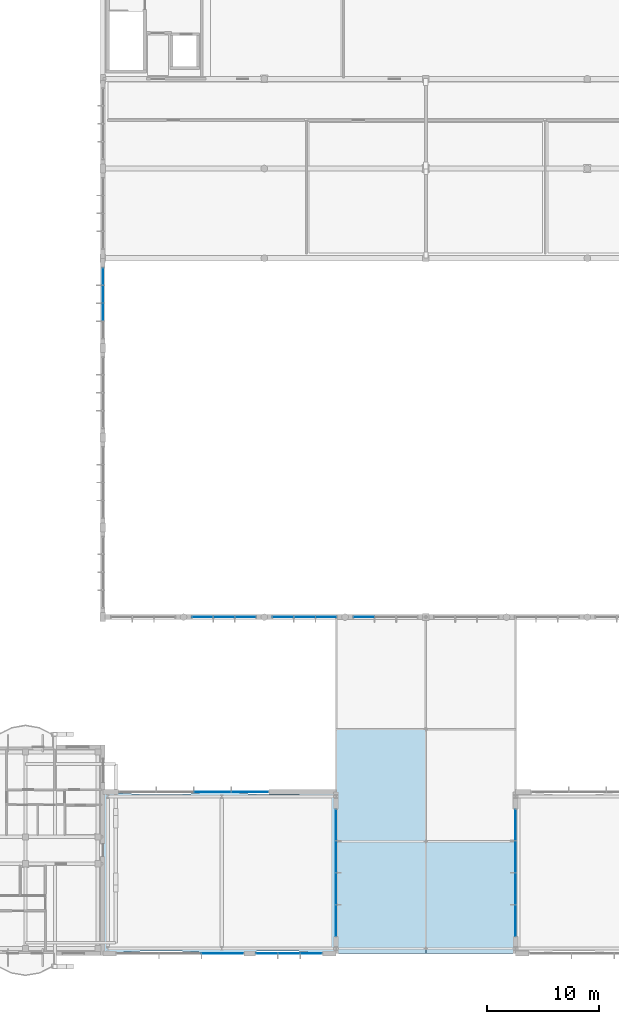
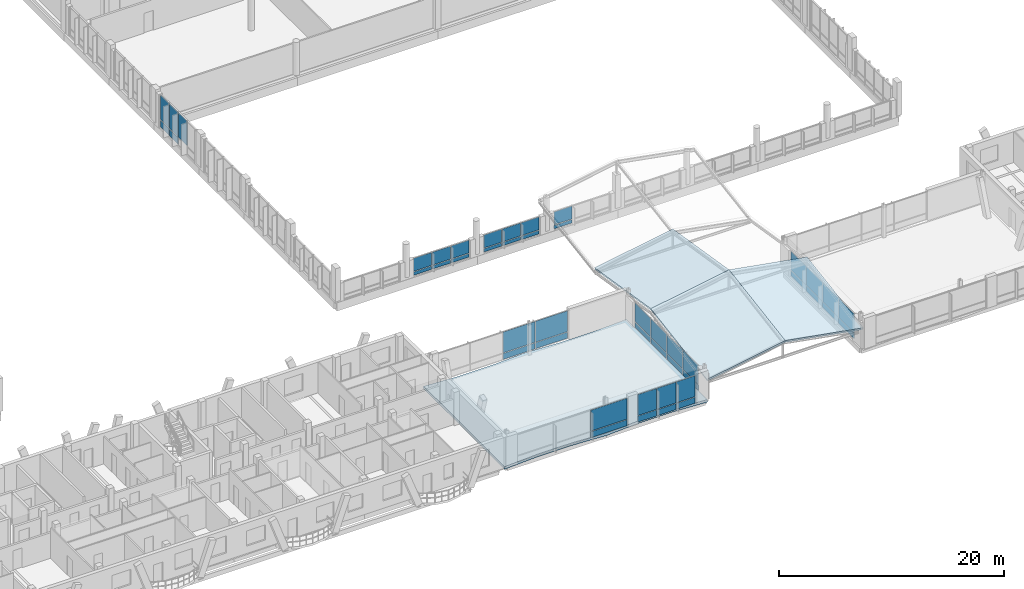
# One storey, part 125 of 189: 47 plates, 4 slabs, 9 elements without a shape of their own.
"""IFC4 building model written with IfcOpenShell, lengths in metres."""

from ifc_helpers import new_model, si_unit, direction, frame, origin, origin_2d, place, context, subcontext, project, spatial, polyline, rectangle, outline, extrude, material, layer, layer_set, type_object, element, aggregate, save


model = new_model("IFC4")

# Units and contexts
model_context = context("Model", 3, precision=1e-05, world=origin(), true_north=direction((0.0, 1.0)))
body_context = subcontext(model_context, "Body", "Model", "MODEL_VIEW")
ifc_project = project(units=[si_unit("LENGTHUNIT", "METRE"), si_unit("AREAUNIT", "SQUARE_METRE"), si_unit("VOLUMEUNIT", "CUBIC_METRE"), si_unit("PLANEANGLEUNIT", "RADIAN"), si_unit("MASSUNIT", "GRAM", prefix="KILO")], contexts=[model_context])

# Site, building, storey
site_placement = place(None, origin())
site = spatial("IfcSite", under=ifc_project, at=site_placement, CompositionType="ELEMENT")
building_placement = place(site_placement, origin())
building = spatial("IfcBuilding", under=site, at=building_placement, Name="Zavelmont Quarter", CompositionType="ELEMENT")
storey_placement = place(building_placement, frame((0.0, 0.0, 4.39990234375)))
storey = spatial("IfcBuildingStorey", under=building, at=storey_placement, Name="L01", CompositionType="ELEMENT", Elevation=4.39990234375)

# Curtain wall, plates
ifc_material_1 = material(Name="Thermally broken aluminium and double low-E safety glazing", Category="aluminium")
curtain_wall_type_1 = type_object("IfcCurtainWallType", Name="CW-640X362", PredefinedType="NOTDEFINED", material=ifc_material_1)
curtain_wall_1_placement = place(storey_placement, origin())
curtain_wall_1 = element("IfcCurtainWall", 1, at=curtain_wall_1_placement, inside=storey, type_object=curtain_wall_type_1, Name="L01 unitised curtain wall CW-640X362", PredefinedType="NOTDEFINED")
ifc_material_2 = material(Name="Insulated anodised-aluminium spandrel panel", Category="aluminium")
ifc_layer_1 = layer(ifc_material_2, 0.0400390625)
ifc_layer_set_1 = layer_set([ifc_layer_1], Name="Insulated anodised-aluminium spandrel panel")
plate_type_1 = type_object("IfcPlateType", Name="CWP-SPD-1495X745", PredefinedType="CURTAIN_PANEL", material=ifc_layer_set_1)
plate_1_placement = place(storey_placement, frame((55.199951171875, 60.382568359375, -0.2099609375), z_axis=(0.0, 0.0, 1.0), x_axis=(0.0, 1.0, 0.0)))
plate_1 = element("IfcPlate", 2, at=plate_1_placement, type_object=plate_type_1, Name="CW-640X362 panel 4.1", PredefinedType="CURTAIN_PANEL", context=body_context, shape_type="SweptSolid", body=[
    extrude(rectangle(XDim=1.4951171875, YDim=0.0400390625, at=origin_2d()), origin(), (0.0, 0.0, 1.0), 0.7451171875),
])
ifc_layer_2 = layer(ifc_material_2, 0.0400390625)
ifc_layer_set_2 = layer_set([ifc_layer_2], Name="Insulated anodised-aluminium spandrel panel")
plate_type_2 = type_object("IfcPlateType", Name="CWP-SPD-1530X745", PredefinedType="CURTAIN_PANEL", material=ifc_layer_set_2)
plate_2_placement = place(storey_placement, frame((55.199951171875, 58.800048828125, -0.2099609375), z_axis=(0.0, 0.0, 1.0), x_axis=(0.0, 1.0, 0.0)))
plate_2 = element("IfcPlate", 3, at=plate_2_placement, type_object=plate_type_2, Name="CW-640X362 panel 3.1", PredefinedType="CURTAIN_PANEL", context=body_context, shape_type="SweptSolid", body=[
    extrude(rectangle(XDim=1.530029296875, YDim=0.0400390625, at=origin_2d()), origin(), (0.0, 0.0, 1.0), 0.7451171875),
])

curtain_wall_type_2 = type_object("IfcCurtainWallType", Name="CW-580X198", PredefinedType="NOTDEFINED", material=ifc_material_1)
curtain_wall_2_placement = place(storey_placement, origin())
curtain_wall_2 = element("IfcCurtainWall", 4, at=curtain_wall_2_placement, inside=storey, type_object=curtain_wall_type_2, Name="L01 unitised curtain wall CW-580X198", PredefinedType="NOTDEFINED")
ifc_layer_3 = layer(ifc_material_2, 0.0400390625)
ifc_layer_set_3 = layer_set([ifc_layer_3], Name="Insulated anodised-aluminium spandrel panel")
plate_type_3 = type_object("IfcPlateType", Name="CWP-SPD-1830X370", PredefinedType="CURTAIN_PANEL", material=ifc_layer_set_3)
plate_3_placement = place(storey_placement, frame((64.084228515625, 30.0, -0.2099609375), z_axis=(0.0, 0.0, 1.0), x_axis=(1.0, 0.0, 0.0)))
plate_3 = element("IfcPlate", 5, at=plate_3_placement, type_object=plate_type_3, Name="CW-580X198 panel 1.1", PredefinedType="CURTAIN_PANEL", context=body_context, shape_type="SweptSolid", body=[
    extrude(rectangle(XDim=1.828369140625, YDim=0.0400390625, at=origin_2d()), origin(), (0.0, 0.0, 1.0), 0.368896484375),
])
plate_4_placement = place(storey_placement, frame((67.915771484375, 30.0, -0.2099609375), z_axis=(0.0, 0.0, 1.0), x_axis=(1.0, 0.0, 0.0)))
plate_4 = element("IfcPlate", 6, at=plate_4_placement, type_object=plate_type_3, Name="CW-580X198 panel 3.1", PredefinedType="CURTAIN_PANEL", context=body_context, shape_type="SweptSolid", body=[
    extrude(rectangle(XDim=1.828369140625, YDim=0.0400390625, at=origin_2d()), origin(), (0.0, 0.0, 1.0), 0.368896484375),
])

curtain_wall_3_placement = place(storey_placement, origin())
curtain_wall_3 = element("IfcCurtainWall", 7, at=curtain_wall_3_placement, inside=storey, type_object=curtain_wall_type_2, Name="L01 unitised curtain wall CW-580X198", PredefinedType="NOTDEFINED")
plate_5_placement = place(storey_placement, frame((71.2841796875, 30.0, -0.2099609375), z_axis=(0.0, 0.0, 1.0), x_axis=(1.0, 0.0, 0.0)))
plate_5 = element("IfcPlate", 8, at=plate_5_placement, type_object=plate_type_3, Name="CW-580X198 panel 1.1", PredefinedType="CURTAIN_PANEL", context=body_context, shape_type="SweptSolid", body=[
    extrude(rectangle(XDim=1.828369140625, YDim=0.0400390625, at=origin_2d()), origin(), (0.0, 0.0, 1.0), 0.368896484375),
])
plate_6_placement = place(storey_placement, frame((75.11572265625, 30.0, -0.2099609375), z_axis=(0.0, 0.0, 1.0), x_axis=(1.0, 0.0, 0.0)))
plate_6 = element("IfcPlate", 9, at=plate_6_placement, type_object=plate_type_3, Name="CW-580X198 panel 3.1", PredefinedType="CURTAIN_PANEL", context=body_context, shape_type="SweptSolid", body=[
    extrude(rectangle(XDim=1.828369140625, YDim=0.0400390625, at=origin_2d()), origin(), (0.0, 0.0, 1.0), 0.368896484375),
])

# Curtain wall, plate
curtain_wall_4_placement = place(storey_placement, origin())
curtain_wall_4 = element("IfcCurtainWall", 10, at=curtain_wall_4_placement, inside=storey, type_object=curtain_wall_type_2, Name="L01 unitised curtain wall CW-580X198", PredefinedType="NOTDEFINED")
plate_7_placement = place(storey_placement, frame((78.484130859375, 30.0, -0.2099609375), z_axis=(0.0, 0.0, 1.0), x_axis=(1.0, 0.0, 0.0)))
plate_7 = element("IfcPlate", 11, at=plate_7_placement, type_object=plate_type_3, Name="CW-580X198 panel 1.1", PredefinedType="CURTAIN_PANEL", context=body_context, shape_type="SweptSolid", body=[
    extrude(rectangle(XDim=1.828369140625, YDim=0.0400390625, at=origin_2d()), origin(), (0.0, 0.0, 1.0), 0.368896484375),
])

# Plate
ifc_layer_4 = layer(ifc_material_2, 0.0400390625)
ifc_layer_set_4 = layer_set([ifc_layer_4], Name="Insulated anodised-aluminium spandrel panel")
plate_type_4 = type_object("IfcPlateType", Name="CWP-SPD-1865X370", PredefinedType="CURTAIN_PANEL", material=ifc_layer_set_4)
plate_8_placement = place(storey_placement, frame((66.0, 30.0, -0.2099609375), z_axis=(0.0, 0.0, 1.0), x_axis=(1.0, 0.0, 0.0)))
plate_8 = element("IfcPlate", 12, at=plate_8_placement, type_object=plate_type_4, Name="CW-580X198 panel 2.1", PredefinedType="CURTAIN_PANEL", context=body_context, shape_type="SweptSolid", body=[
    extrude(rectangle(XDim=1.86328125, YDim=0.0400390625, at=origin_2d()), origin(), (0.0, 0.0, 1.0), 0.368896484375),
])

plate_9_placement = place(storey_placement, frame((73.199951171875, 30.0, -0.2099609375), z_axis=(0.0, 0.0, 1.0), x_axis=(1.0, 0.0, 0.0)))
plate_9 = element("IfcPlate", 13, at=plate_9_placement, type_object=plate_type_4, Name="CW-580X198 panel 2.1", PredefinedType="CURTAIN_PANEL", context=body_context, shape_type="SweptSolid", body=[
    extrude(rectangle(XDim=1.86328125, YDim=0.0400390625, at=origin_2d()), origin(), (0.0, 0.0, 1.0), 0.368896484375),
])

# Curtain wall, plates
curtain_wall_type_3 = type_object("IfcCurtainWallType", Name="CW-600X310", PredefinedType="NOTDEFINED", material=ifc_material_1)
curtain_wall_5_placement = place(storey_placement, origin())
curtain_wall_5 = element("IfcCurtainWall", 14, at=curtain_wall_5_placement, inside=storey, type_object=curtain_wall_type_3, Name="L01 unitised curtain wall CW-600X310", PredefinedType="NOTDEFINED")
ifc_layer_5 = layer(ifc_material_2, 0.0400390625)
ifc_layer_set_5 = layer_set([ifc_layer_5], Name="Insulated anodised-aluminium spandrel panel")
plate_type_5 = type_object("IfcPlateType", Name="CWP-SPD-1910X655", PredefinedType="CURTAIN_PANEL", material=ifc_layer_set_5)
plate_10_placement = place(storey_placement, frame((69.81494140625, 0.0, 0.06005859375), z_axis=(0.0, 0.0, 1.0), x_axis=(1.0, 0.0, 0.0)))
plate_10 = element("IfcPlate", 15, at=plate_10_placement, type_object=plate_type_5, Name="CW-600X310 panel 1.1", PredefinedType="CURTAIN_PANEL", context=body_context, shape_type="SweptSolid", body=[
    extrude(rectangle(XDim=1.909912109375, YDim=0.0400390625, at=origin_2d()), origin(), (0.0, 0.0, 1.0), 0.654052734375),
])
plate_11_placement = place(storey_placement, frame((73.784912109375, 0.0, 0.06005859375), z_axis=(0.0, 0.0, 1.0), x_axis=(1.0, 0.0, 0.0)))
plate_11 = element("IfcPlate", 16, at=plate_11_placement, type_object=plate_type_5, Name="CW-600X310 panel 3.1", PredefinedType="CURTAIN_PANEL", context=body_context, shape_type="SweptSolid", body=[
    extrude(rectangle(XDim=1.909912109375, YDim=0.0400390625, at=origin_2d()), origin(), (0.0, 0.0, 1.0), 0.654052734375),
])
ifc_layer_6 = layer(ifc_material_2, 0.0400390625)
ifc_layer_set_6 = layer_set([ifc_layer_6], Name="Insulated anodised-aluminium spandrel panel")
plate_type_6 = type_object("IfcPlateType", Name="CWP-SPD-1940X655", PredefinedType="CURTAIN_PANEL", material=ifc_layer_set_6)
plate_12_placement = place(storey_placement, frame((71.800048828125, 0.0, 0.06005859375), z_axis=(0.0, 0.0, 1.0), x_axis=(1.0, 0.0, 0.0)))
plate_12 = element("IfcPlate", 17, at=plate_12_placement, type_object=plate_type_6, Name="CW-600X310 panel 2.1", PredefinedType="CURTAIN_PANEL", context=body_context, shape_type="SweptSolid", body=[
    extrude(rectangle(XDim=1.93994140625, YDim=0.0400390625, at=origin_2d()), origin(), (0.0, 0.0, 1.0), 0.654052734375),
])

curtain_wall_type_4 = type_object("IfcCurtainWallType", Name="CW-1140X280", PredefinedType="NOTDEFINED", material=ifc_material_1)
curtain_wall_6_placement = place(storey_placement, origin())
curtain_wall_6 = element("IfcCurtainWall", 18, at=curtain_wall_6_placement, inside=storey, type_object=curtain_wall_type_4, Name="L01 unitised curtain wall CW-1140X280", PredefinedType="NOTDEFINED")
ifc_layer_7 = layer(ifc_material_2, 0.0400390625)
ifc_layer_set_7 = layer_set([ifc_layer_7], Name="Insulated anodised-aluminium spandrel panel")
plate_type_7 = type_object("IfcPlateType", Name="CWP-SPD-2760X580", PredefinedType="CURTAIN_PANEL", material=ifc_layer_set_7)
plate_13_placement = place(storey_placement, frame((76.0, 2.93994140625, 0.06005859375), z_axis=(0.0, 0.0, 1.0), x_axis=(0.0, 1.0, 0.0)))
plate_13 = element("IfcPlate", 19, at=plate_13_placement, type_object=plate_type_7, Name="CW-1140X280 panel 1.1", PredefinedType="CURTAIN_PANEL", context=body_context, shape_type="SweptSolid", body=[
    extrude(rectangle(XDim=2.760009765625, YDim=0.0400390625, at=origin_2d()), origin(), (0.0, 0.0, 1.0), 0.58203125),
])
plate_14_placement = place(storey_placement, frame((76.0, 11.4599609375, 0.06005859375), z_axis=(0.0, 0.0, 1.0), x_axis=(0.0, 1.0, 0.0)))
plate_14 = element("IfcPlate", 20, at=plate_14_placement, type_object=plate_type_7, Name="CW-1140X280 panel 4.1", PredefinedType="CURTAIN_PANEL", context=body_context, shape_type="SweptSolid", body=[
    extrude(rectangle(XDim=2.760009765625, YDim=0.0400390625, at=origin_2d()), origin(), (0.0, 0.0, 1.0), 0.58203125),
])

curtain_wall_7_placement = place(storey_placement, origin())
curtain_wall_7 = element("IfcCurtainWall", 21, at=curtain_wall_7_placement, inside=storey, type_object=curtain_wall_type_4, Name="L01 unitised curtain wall CW-1140X280", PredefinedType="NOTDEFINED")
plate_15_placement = place(storey_placement, frame((92.0, 2.93994140625, 0.06005859375), z_axis=(0.0, 0.0, 1.0), x_axis=(0.0, 1.0, 0.0)))
plate_15 = element("IfcPlate", 22, at=plate_15_placement, type_object=plate_type_7, Name="CW-1140X280 panel 1.1", PredefinedType="CURTAIN_PANEL", context=body_context, shape_type="SweptSolid", body=[
    extrude(rectangle(XDim=2.760009765625, YDim=0.0400390625, at=origin_2d()), origin(), (0.0, 0.0, 1.0), 0.58203125),
])
plate_16_placement = place(storey_placement, frame((92.0, 11.4599609375, 0.06005859375), z_axis=(0.0, 0.0, 1.0), x_axis=(0.0, 1.0, 0.0)))
plate_16 = element("IfcPlate", 23, at=plate_16_placement, type_object=plate_type_7, Name="CW-1140X280 panel 4.1", PredefinedType="CURTAIN_PANEL", context=body_context, shape_type="SweptSolid", body=[
    extrude(rectangle(XDim=2.760009765625, YDim=0.0400390625, at=origin_2d()), origin(), (0.0, 0.0, 1.0), 0.58203125),
])

# Plate
ifc_layer_8 = layer(ifc_material_2, 0.0400390625)
ifc_layer_set_8 = layer_set([ifc_layer_8], Name="Insulated anodised-aluminium spandrel panel")
plate_type_8 = type_object("IfcPlateType", Name="CWP-SPD-2790X580", PredefinedType="CURTAIN_PANEL", material=ifc_layer_set_8)
plate_17_placement = place(storey_placement, frame((76.0, 5.77490234375, 0.06005859375), z_axis=(0.0, 0.0, 1.0), x_axis=(0.0, 1.0, 0.0)))
plate_17 = element("IfcPlate", 24, at=plate_17_placement, type_object=plate_type_8, Name="CW-1140X280 panel 2.1", PredefinedType="CURTAIN_PANEL", context=body_context, shape_type="SweptSolid", body=[
    extrude(rectangle(XDim=2.7900390625, YDim=0.0400390625, at=origin_2d()), origin(), (0.0, 0.0, 1.0), 0.58203125),
])

plate_18_placement = place(storey_placement, frame((76.0, 8.625, 0.06005859375), z_axis=(0.0, 0.0, 1.0), x_axis=(0.0, 1.0, 0.0)))
plate_18 = element("IfcPlate", 25, at=plate_18_placement, type_object=plate_type_8, Name="CW-1140X280 panel 3.1", PredefinedType="CURTAIN_PANEL", context=body_context, shape_type="SweptSolid", body=[
    extrude(rectangle(XDim=2.7900390625, YDim=0.0400390625, at=origin_2d()), origin(), (0.0, 0.0, 1.0), 0.58203125),
])

plate_19_placement = place(storey_placement, frame((92.0, 5.77490234375, 0.06005859375), z_axis=(0.0, 0.0, 1.0), x_axis=(0.0, 1.0, 0.0)))
plate_19 = element("IfcPlate", 26, at=plate_19_placement, type_object=plate_type_8, Name="CW-1140X280 panel 2.1", PredefinedType="CURTAIN_PANEL", context=body_context, shape_type="SweptSolid", body=[
    extrude(rectangle(XDim=2.7900390625, YDim=0.0400390625, at=origin_2d()), origin(), (0.0, 0.0, 1.0), 0.58203125),
])

plate_20_placement = place(storey_placement, frame((92.0, 8.625, 0.06005859375), z_axis=(0.0, 0.0, 1.0), x_axis=(0.0, 1.0, 0.0)))
plate_20 = element("IfcPlate", 27, at=plate_20_placement, type_object=plate_type_8, Name="CW-1140X280 panel 3.1", PredefinedType="CURTAIN_PANEL", context=body_context, shape_type="SweptSolid", body=[
    extrude(rectangle(XDim=2.7900390625, YDim=0.0400390625, at=origin_2d()), origin(), (0.0, 0.0, 1.0), 0.58203125),
])

# Curtain wall, plates
curtain_wall_type_5 = type_object("IfcCurtainWallType", Name="CW-1340X310", PredefinedType="NOTDEFINED", material=ifc_material_1)
curtain_wall_8_placement = place(storey_placement, origin())
curtain_wall_8 = element("IfcCurtainWall", 28, at=curtain_wall_8_placement, inside=storey, type_object=curtain_wall_type_5, Name="L01 unitised curtain wall CW-1340X310", PredefinedType="NOTDEFINED")
ifc_layer_9 = layer(ifc_material_2, 0.0400390625)
ifc_layer_set_9 = layer_set([ifc_layer_9], Name="Insulated anodised-aluminium spandrel panel")
plate_type_9 = type_object("IfcPlateType", Name="CWP-SPD-3260X655", PredefinedType="CURTAIN_PANEL", material=ifc_layer_set_9)
plate_21_placement = place(storey_placement, frame((68.31005859375, 14.39990234375, 0.06005859375), z_axis=(0.0, 0.0, 1.0), x_axis=(1.0, 0.0, 0.0)))
plate_21 = element("IfcPlate", 29, at=plate_21_placement, type_object=plate_type_9, Name="CW-1340X310 panel 4.1", PredefinedType="CURTAIN_PANEL", context=body_context, shape_type="SweptSolid", body=[
    extrude(rectangle(XDim=3.260009765625, YDim=0.0400390625, at=origin_2d()), origin(), (0.0, 0.0, 1.0), 0.654052734375),
])
ifc_layer_10 = layer(ifc_material_2, 0.0400390625)
ifc_layer_set_10 = layer_set([ifc_layer_10], Name="Insulated anodised-aluminium spandrel panel")
plate_type_10 = type_object("IfcPlateType", Name="CWP-SPD-3290X655", PredefinedType="CURTAIN_PANEL", material=ifc_layer_set_10)
plate_22_placement = place(storey_placement, frame((64.97509765625, 14.39990234375, 0.06005859375), z_axis=(0.0, 0.0, 1.0), x_axis=(1.0, 0.0, 0.0)))
plate_22 = element("IfcPlate", 30, at=plate_22_placement, type_object=plate_type_10, Name="CW-1340X310 panel 3.1", PredefinedType="CURTAIN_PANEL", context=body_context, shape_type="SweptSolid", body=[
    extrude(rectangle(XDim=3.2900390625, YDim=0.0400390625, at=origin_2d()), origin(), (0.0, 0.0, 1.0), 0.654052734375),
])

# Curtain wall, plate
curtain_wall_type_6 = type_object("IfcCurtainWallType", Name="CW-1140X310", PredefinedType="NOTDEFINED", material=ifc_material_1)
curtain_wall_9_placement = place(storey_placement, origin())
curtain_wall_9 = element("IfcCurtainWall", 31, at=curtain_wall_9_placement, inside=storey, type_object=curtain_wall_type_6, Name="L01 unitised curtain wall CW-1140X310", PredefinedType="NOTDEFINED")
ifc_layer_11 = layer(ifc_material_2, 0.0400390625)
ifc_layer_set_11 = layer_set([ifc_layer_11], Name="Insulated anodised-aluminium spandrel panel")
plate_type_11 = type_object("IfcPlateType", Name="CWP-SPD-3710X655", PredefinedType="CURTAIN_PANEL", material=ifc_layer_set_11)
plate_23_placement = place(storey_placement, frame((65.885009765625, 0.0, 0.06005859375), z_axis=(0.0, 0.0, 1.0), x_axis=(1.0, 0.0, 0.0)))
plate_23 = element("IfcPlate", 32, at=plate_23_placement, type_object=plate_type_11, Name="CW-1140X310 panel 3.1", PredefinedType="CURTAIN_PANEL", context=body_context, shape_type="SweptSolid", body=[
    extrude(rectangle(XDim=3.7099609375, YDim=0.0400390625, at=origin_2d()), origin(), (0.0, 0.0, 1.0), 0.654052734375),
])

# Plate
ifc_material_3 = material(Name="Double low-E insulated vision glass", Category="glass")
ifc_layer_12 = layer(ifc_material_3, 0.028076171875)
ifc_layer_set_12 = layer_set([ifc_layer_12], Name="Double low-E insulated vision glass")
plate_type_12 = type_object("IfcPlateType", Name="CWP-VIS-1495X2665", PredefinedType="CURTAIN_PANEL", material=ifc_layer_set_12)
plate_24_placement = place(storey_placement, frame((55.199951171875, 60.382568359375, 0.60498046875), z_axis=(0.0, 0.0, 1.0), x_axis=(0.0, 1.0, 0.0)))
plate_24 = element("IfcPlate", 33, at=plate_24_placement, type_object=plate_type_12, Name="CW-640X362 panel 4.2", PredefinedType="CURTAIN_PANEL", context=body_context, shape_type="SweptSolid", body=[
    extrude(rectangle(XDim=1.4951171875, YDim=0.028076171875, at=origin_2d()), origin(), (0.0, 0.0, 1.0), 2.6650390625),
])

ifc_layer_13 = layer(ifc_material_3, 0.028076171875)
ifc_layer_set_13 = layer_set([ifc_layer_13], Name="Double low-E insulated vision glass")
plate_type_13 = type_object("IfcPlateType", Name="CWP-VIS-1530X2665", PredefinedType="CURTAIN_PANEL", material=ifc_layer_set_13)
plate_25_placement = place(storey_placement, frame((55.199951171875, 57.199951171875, 0.60498046875), z_axis=(0.0, 0.0, 1.0), x_axis=(0.0, 1.0, 0.0)))
plate_25 = element("IfcPlate", 34, at=plate_25_placement, type_object=plate_type_13, Name="CW-640X362 panel 2.2", PredefinedType="CURTAIN_PANEL", context=body_context, shape_type="SweptSolid", body=[
    extrude(rectangle(XDim=1.530029296875, YDim=0.028076171875, at=origin_2d()), origin(), (0.0, 0.0, 1.0), 2.6650390625),
])

plate_26_placement = place(storey_placement, frame((55.199951171875, 58.800048828125, 0.60498046875), z_axis=(0.0, 0.0, 1.0), x_axis=(0.0, 1.0, 0.0)))
plate_26 = element("IfcPlate", 35, at=plate_26_placement, type_object=plate_type_13, Name="CW-640X362 panel 3.2", PredefinedType="CURTAIN_PANEL", context=body_context, shape_type="SweptSolid", body=[
    extrude(rectangle(XDim=1.530029296875, YDim=0.028076171875, at=origin_2d()), origin(), (0.0, 0.0, 1.0), 2.6650390625),
])

aggregate(curtain_wall_1, [plate_25, plate_2, plate_26, plate_1, plate_24])

ifc_layer_14 = layer(ifc_material_3, 0.028076171875)
ifc_layer_set_14 = layer_set([ifc_layer_14], Name="Double low-E insulated vision glass")
plate_type_14 = type_object("IfcPlateType", Name="CWP-VIS-1830X1395", PredefinedType="CURTAIN_PANEL", material=ifc_layer_set_14)
plate_27_placement = place(storey_placement, frame((64.084228515625, 30.0, 0.22900390625), z_axis=(0.0, 0.0, 1.0), x_axis=(1.0, 0.0, 0.0)))
plate_27 = element("IfcPlate", 36, at=plate_27_placement, type_object=plate_type_14, Name="CW-580X198 panel 1.2", PredefinedType="CURTAIN_PANEL", context=body_context, shape_type="SweptSolid", body=[
    extrude(rectangle(XDim=1.828369140625, YDim=0.028076171875, at=origin_2d()), origin(), (0.0, 0.0, 1.0), 1.39599609375),
])

plate_28_placement = place(storey_placement, frame((67.915771484375, 30.0, 0.22900390625), z_axis=(0.0, 0.0, 1.0), x_axis=(1.0, 0.0, 0.0)))
plate_28 = element("IfcPlate", 37, at=plate_28_placement, type_object=plate_type_14, Name="CW-580X198 panel 3.2", PredefinedType="CURTAIN_PANEL", context=body_context, shape_type="SweptSolid", body=[
    extrude(rectangle(XDim=1.828369140625, YDim=0.028076171875, at=origin_2d()), origin(), (0.0, 0.0, 1.0), 1.39599609375),
])

plate_29_placement = place(storey_placement, frame((71.2841796875, 30.0, 0.22900390625), z_axis=(0.0, 0.0, 1.0), x_axis=(1.0, 0.0, 0.0)))
plate_29 = element("IfcPlate", 38, at=plate_29_placement, type_object=plate_type_14, Name="CW-580X198 panel 1.2", PredefinedType="CURTAIN_PANEL", context=body_context, shape_type="SweptSolid", body=[
    extrude(rectangle(XDim=1.828369140625, YDim=0.028076171875, at=origin_2d()), origin(), (0.0, 0.0, 1.0), 1.39599609375),
])

plate_30_placement = place(storey_placement, frame((75.11572265625, 30.0, 0.22900390625), z_axis=(0.0, 0.0, 1.0), x_axis=(1.0, 0.0, 0.0)))
plate_30 = element("IfcPlate", 39, at=plate_30_placement, type_object=plate_type_14, Name="CW-580X198 panel 3.2", PredefinedType="CURTAIN_PANEL", context=body_context, shape_type="SweptSolid", body=[
    extrude(rectangle(XDim=1.828369140625, YDim=0.028076171875, at=origin_2d()), origin(), (0.0, 0.0, 1.0), 1.39599609375),
])

plate_31_placement = place(storey_placement, frame((78.484130859375, 30.0, 0.22900390625), z_axis=(0.0, 0.0, 1.0), x_axis=(1.0, 0.0, 0.0)))
plate_31 = element("IfcPlate", 40, at=plate_31_placement, type_object=plate_type_14, Name="CW-580X198 panel 1.2", PredefinedType="CURTAIN_PANEL", context=body_context, shape_type="SweptSolid", body=[
    extrude(rectangle(XDim=1.828369140625, YDim=0.028076171875, at=origin_2d()), origin(), (0.0, 0.0, 1.0), 1.39599609375),
])

aggregate(curtain_wall_4, [plate_7, plate_31])

ifc_layer_15 = layer(ifc_material_3, 0.028076171875)
ifc_layer_set_15 = layer_set([ifc_layer_15], Name="Double low-E insulated vision glass")
plate_type_15 = type_object("IfcPlateType", Name="CWP-VIS-1865X1395", PredefinedType="CURTAIN_PANEL", material=ifc_layer_set_15)
plate_32_placement = place(storey_placement, frame((66.0, 30.0, 0.22900390625), z_axis=(0.0, 0.0, 1.0), x_axis=(1.0, 0.0, 0.0)))
plate_32 = element("IfcPlate", 41, at=plate_32_placement, type_object=plate_type_15, Name="CW-580X198 panel 2.2", PredefinedType="CURTAIN_PANEL", context=body_context, shape_type="SweptSolid", body=[
    extrude(rectangle(XDim=1.86328125, YDim=0.028076171875, at=origin_2d()), origin(), (0.0, 0.0, 1.0), 1.39599609375),
])

aggregate(curtain_wall_2, [plate_3, plate_27, plate_8, plate_32, plate_4, plate_28])

plate_33_placement = place(storey_placement, frame((73.199951171875, 30.0, 0.22900390625), z_axis=(0.0, 0.0, 1.0), x_axis=(1.0, 0.0, 0.0)))
plate_33 = element("IfcPlate", 42, at=plate_33_placement, type_object=plate_type_15, Name="CW-580X198 panel 2.2", PredefinedType="CURTAIN_PANEL", context=body_context, shape_type="SweptSolid", body=[
    extrude(rectangle(XDim=1.86328125, YDim=0.028076171875, at=origin_2d()), origin(), (0.0, 0.0, 1.0), 1.39599609375),
])

aggregate(curtain_wall_3, [plate_5, plate_29, plate_9, plate_33, plate_6, plate_30])

ifc_layer_16 = layer(ifc_material_3, 0.028076171875)
ifc_layer_set_16 = layer_set([ifc_layer_16], Name="Double low-E insulated vision glass")
plate_type_16 = type_object("IfcPlateType", Name="CWP-VIS-1910X2265", PredefinedType="CURTAIN_PANEL", material=ifc_layer_set_16)
plate_34_placement = place(storey_placement, frame((69.81494140625, 0.0, 0.77392578125), z_axis=(0.0, 0.0, 1.0), x_axis=(1.0, 0.0, 0.0)))
plate_34 = element("IfcPlate", 43, at=plate_34_placement, type_object=plate_type_16, Name="CW-600X310 panel 1.2", PredefinedType="CURTAIN_PANEL", context=body_context, shape_type="SweptSolid", body=[
    extrude(rectangle(XDim=1.909912109375, YDim=0.028076171875, at=origin_2d()), origin(), (0.0, 0.0, 1.0), 2.26611328125),
])

plate_35_placement = place(storey_placement, frame((73.784912109375, 0.0, 0.77392578125), z_axis=(0.0, 0.0, 1.0), x_axis=(1.0, 0.0, 0.0)))
plate_35 = element("IfcPlate", 44, at=plate_35_placement, type_object=plate_type_16, Name="CW-600X310 panel 3.2", PredefinedType="CURTAIN_PANEL", context=body_context, shape_type="SweptSolid", body=[
    extrude(rectangle(XDim=1.909912109375, YDim=0.028076171875, at=origin_2d()), origin(), (0.0, 0.0, 1.0), 2.26611328125),
])

ifc_layer_17 = layer(ifc_material_3, 0.028076171875)
ifc_layer_set_17 = layer_set([ifc_layer_17], Name="Double low-E insulated vision glass")
plate_type_17 = type_object("IfcPlateType", Name="CWP-VIS-1940X2265", PredefinedType="CURTAIN_PANEL", material=ifc_layer_set_17)
plate_36_placement = place(storey_placement, frame((71.800048828125, 0.0, 0.77392578125), z_axis=(0.0, 0.0, 1.0), x_axis=(1.0, 0.0, 0.0)))
plate_36 = element("IfcPlate", 45, at=plate_36_placement, type_object=plate_type_17, Name="CW-600X310 panel 2.2", PredefinedType="CURTAIN_PANEL", context=body_context, shape_type="SweptSolid", body=[
    extrude(rectangle(XDim=1.93994140625, YDim=0.028076171875, at=origin_2d()), origin(), (0.0, 0.0, 1.0), 2.26611328125),
])

aggregate(curtain_wall_5, [plate_10, plate_34, plate_12, plate_36, plate_11, plate_35])

ifc_layer_18 = layer(ifc_material_3, 0.028076171875)
ifc_layer_set_18 = layer_set([ifc_layer_18], Name="Double low-E insulated vision glass")
plate_type_18 = type_object("IfcPlateType", Name="CWP-VIS-2760X2040", PredefinedType="CURTAIN_PANEL", material=ifc_layer_set_18)
plate_37_placement = place(storey_placement, frame((76.0, 2.93994140625, 0.7021484375), z_axis=(0.0, 0.0, 1.0), x_axis=(0.0, 1.0, 0.0)))
plate_37 = element("IfcPlate", 46, at=plate_37_placement, type_object=plate_type_18, Name="CW-1140X280 panel 1.2", PredefinedType="CURTAIN_PANEL", context=body_context, shape_type="SweptSolid", body=[
    extrude(rectangle(XDim=2.760009765625, YDim=0.028076171875, at=origin_2d()), origin(), (0.0, 0.0, 1.0), 2.0380859375),
])

plate_38_placement = place(storey_placement, frame((76.0, 11.4599609375, 0.7021484375), z_axis=(0.0, 0.0, 1.0), x_axis=(0.0, 1.0, 0.0)))
plate_38 = element("IfcPlate", 47, at=plate_38_placement, type_object=plate_type_18, Name="CW-1140X280 panel 4.2", PredefinedType="CURTAIN_PANEL", context=body_context, shape_type="SweptSolid", body=[
    extrude(rectangle(XDim=2.760009765625, YDim=0.028076171875, at=origin_2d()), origin(), (0.0, 0.0, 1.0), 2.0380859375),
])

plate_39_placement = place(storey_placement, frame((92.0, 2.93994140625, 0.7021484375), z_axis=(0.0, 0.0, 1.0), x_axis=(0.0, 1.0, 0.0)))
plate_39 = element("IfcPlate", 48, at=plate_39_placement, type_object=plate_type_18, Name="CW-1140X280 panel 1.2", PredefinedType="CURTAIN_PANEL", context=body_context, shape_type="SweptSolid", body=[
    extrude(rectangle(XDim=2.760009765625, YDim=0.028076171875, at=origin_2d()), origin(), (0.0, 0.0, 1.0), 2.0380859375),
])

plate_40_placement = place(storey_placement, frame((92.0, 11.4599609375, 0.7021484375), z_axis=(0.0, 0.0, 1.0), x_axis=(0.0, 1.0, 0.0)))
plate_40 = element("IfcPlate", 49, at=plate_40_placement, type_object=plate_type_18, Name="CW-1140X280 panel 4.2", PredefinedType="CURTAIN_PANEL", context=body_context, shape_type="SweptSolid", body=[
    extrude(rectangle(XDim=2.760009765625, YDim=0.028076171875, at=origin_2d()), origin(), (0.0, 0.0, 1.0), 2.0380859375),
])

ifc_layer_19 = layer(ifc_material_3, 0.028076171875)
ifc_layer_set_19 = layer_set([ifc_layer_19], Name="Double low-E insulated vision glass")
plate_type_19 = type_object("IfcPlateType", Name="CWP-VIS-2790X2040", PredefinedType="CURTAIN_PANEL", material=ifc_layer_set_19)
plate_41_placement = place(storey_placement, frame((76.0, 5.77490234375, 0.7021484375), z_axis=(0.0, 0.0, 1.0), x_axis=(0.0, 1.0, 0.0)))
plate_41 = element("IfcPlate", 50, at=plate_41_placement, type_object=plate_type_19, Name="CW-1140X280 panel 2.2", PredefinedType="CURTAIN_PANEL", context=body_context, shape_type="SweptSolid", body=[
    extrude(rectangle(XDim=2.7900390625, YDim=0.028076171875, at=origin_2d()), origin(), (0.0, 0.0, 1.0), 2.0380859375),
])

plate_42_placement = place(storey_placement, frame((76.0, 8.625, 0.7021484375), z_axis=(0.0, 0.0, 1.0), x_axis=(0.0, 1.0, 0.0)))
plate_42 = element("IfcPlate", 51, at=plate_42_placement, type_object=plate_type_19, Name="CW-1140X280 panel 3.2", PredefinedType="CURTAIN_PANEL", context=body_context, shape_type="SweptSolid", body=[
    extrude(rectangle(XDim=2.7900390625, YDim=0.028076171875, at=origin_2d()), origin(), (0.0, 0.0, 1.0), 2.0380859375),
])

aggregate(curtain_wall_6, [plate_13, plate_37, plate_17, plate_41, plate_18, plate_42, plate_14, plate_38])

plate_43_placement = place(storey_placement, frame((92.0, 5.77490234375, 0.7021484375), z_axis=(0.0, 0.0, 1.0), x_axis=(0.0, 1.0, 0.0)))
plate_43 = element("IfcPlate", 52, at=plate_43_placement, type_object=plate_type_19, Name="CW-1140X280 panel 2.2", PredefinedType="CURTAIN_PANEL", context=body_context, shape_type="SweptSolid", body=[
    extrude(rectangle(XDim=2.7900390625, YDim=0.028076171875, at=origin_2d()), origin(), (0.0, 0.0, 1.0), 2.0380859375),
])

plate_44_placement = place(storey_placement, frame((92.0, 8.625, 0.7021484375), z_axis=(0.0, 0.0, 1.0), x_axis=(0.0, 1.0, 0.0)))
plate_44 = element("IfcPlate", 53, at=plate_44_placement, type_object=plate_type_19, Name="CW-1140X280 panel 3.2", PredefinedType="CURTAIN_PANEL", context=body_context, shape_type="SweptSolid", body=[
    extrude(rectangle(XDim=2.7900390625, YDim=0.028076171875, at=origin_2d()), origin(), (0.0, 0.0, 1.0), 2.0380859375),
])

aggregate(curtain_wall_7, [plate_15, plate_39, plate_19, plate_43, plate_20, plate_44, plate_16, plate_40])

ifc_layer_20 = layer(ifc_material_3, 0.028076171875)
ifc_layer_set_20 = layer_set([ifc_layer_20], Name="Double low-E insulated vision glass")
plate_type_20 = type_object("IfcPlateType", Name="CWP-VIS-3260X2265", PredefinedType="CURTAIN_PANEL", material=ifc_layer_set_20)
plate_45_placement = place(storey_placement, frame((68.31005859375, 14.39990234375, 0.77392578125), z_axis=(0.0, 0.0, 1.0), x_axis=(1.0, 0.0, 0.0)))
plate_45 = element("IfcPlate", 54, at=plate_45_placement, type_object=plate_type_20, Name="CW-1340X310 panel 4.2", PredefinedType="CURTAIN_PANEL", context=body_context, shape_type="SweptSolid", body=[
    extrude(rectangle(XDim=3.260009765625, YDim=0.028076171875, at=origin_2d()), origin(), (0.0, 0.0, 1.0), 2.26611328125),
])

ifc_layer_21 = layer(ifc_material_3, 0.028076171875)
ifc_layer_set_21 = layer_set([ifc_layer_21], Name="Double low-E insulated vision glass")
plate_type_21 = type_object("IfcPlateType", Name="CWP-VIS-3290X2265", PredefinedType="CURTAIN_PANEL", material=ifc_layer_set_21)
plate_46_placement = place(storey_placement, frame((64.97509765625, 14.39990234375, 0.77392578125), z_axis=(0.0, 0.0, 1.0), x_axis=(1.0, 0.0, 0.0)))
plate_46 = element("IfcPlate", 55, at=plate_46_placement, type_object=plate_type_21, Name="CW-1340X310 panel 3.2", PredefinedType="CURTAIN_PANEL", context=body_context, shape_type="SweptSolid", body=[
    extrude(rectangle(XDim=3.2900390625, YDim=0.028076171875, at=origin_2d()), origin(), (0.0, 0.0, 1.0), 2.26611328125),
])

aggregate(curtain_wall_8, [plate_22, plate_46, plate_21, plate_45])

ifc_layer_22 = layer(ifc_material_3, 0.028076171875)
ifc_layer_set_22 = layer_set([ifc_layer_22], Name="Double low-E insulated vision glass")
plate_type_22 = type_object("IfcPlateType", Name="CWP-VIS-3710X2265", PredefinedType="CURTAIN_PANEL", material=ifc_layer_set_22)
plate_47_placement = place(storey_placement, frame((65.885009765625, 0.0, 0.77392578125), z_axis=(0.0, 0.0, 1.0), x_axis=(1.0, 0.0, 0.0)))
plate_47 = element("IfcPlate", 56, at=plate_47_placement, type_object=plate_type_22, Name="CW-1140X310 panel 3.2", PredefinedType="CURTAIN_PANEL", context=body_context, shape_type="SweptSolid", body=[
    extrude(rectangle(XDim=3.7099609375, YDim=0.028076171875, at=origin_2d()), origin(), (0.0, 0.0, 1.0), 2.26611328125),
])

aggregate(curtain_wall_9, [plate_23, plate_47])

# Slabs
ifc_material_4 = material(Name="Concrete C35/45", Category="concrete")
ifc_layer_23 = layer(ifc_material_4, 0.2099609375)
ifc_layer_set_23 = layer_set([ifc_layer_23], Name="Concrete C35/45")
slab_type_1 = type_object("IfcSlabType", Name="PSE1", PredefinedType="ROOF", material=ifc_layer_set_23)
slab_1_placement = place(storey_placement, frame((84.0, 0.0, 3.60009765625), z_axis=(0.171571548155, -0.158017662267, 0.972416383179), x_axis=(0.984788990656, 0.0, -0.17375455068)))
element("IfcSlab", 57, at=slab_1_placement, inside=storey, type_object=slab_type_1, Name="Sloped clerestory roof PSE1", PredefinedType="ROOF", context=body_context, shape_type="SweptSolid", body=[
    extrude(outline(polyline([(0.0, 0.0), (8.143896415723395, 0.0), (7.861545270868091, 10.127235695440236), (-0.28235114485530316, 10.127235695440236), (0.0, 0.0)])), origin(), (0.0, 0.0, -1.0), 0.2099609375),
])
ifc_layer_24 = layer(ifc_material_4, 0.2099609375)
ifc_layer_set_24 = layer_set([ifc_layer_24], Name="Concrete C35/45")
slab_type_2 = type_object("IfcSlabType", Name="PSW1", PredefinedType="ROOF", material=ifc_layer_set_24)
slab_2_placement = place(storey_placement, frame((75.97998046875, 0.0, 2.18505859375), z_axis=(-0.171571548155, -0.158017662267, 0.972416383179), x_axis=(0.984788990656, 0.0, 0.17375455068)))
element("IfcSlab", 58, at=slab_2_placement, inside=storey, type_object=slab_type_2, Name="Sloped clerestory roof PSW1", PredefinedType="ROOF", context=body_context, shape_type="SweptSolid", body=[
    extrude(outline(polyline([(0.0, 0.0), (8.143896415723395, 0.0), (8.426247560578698, 10.127235695440236), (0.28235114485530316, 10.127235695440236), (0.0, 0.0)])), origin(), (0.0, 0.0, -1.0), 0.2099609375),
])
ifc_layer_25 = layer(ifc_material_4, 0.2099609375)
ifc_layer_set_25 = layer_set([ifc_layer_25], Name="Concrete C35/45")
slab_type_3 = type_object("IfcSlabType", Name="PSW2", PredefinedType="ROOF", material=ifc_layer_set_25)
slab_3_placement = place(storey_placement, frame((75.97998046875, 10.0, 3.81005859375), z_axis=(-0.171571548155, 0.158017662267, 0.972416383179), x_axis=(0.984788990656, 0.0, 0.17375455068)))
element("IfcSlab", 59, at=slab_3_placement, inside=storey, type_object=slab_type_3, Name="Sloped clerestory roof PSW2", PredefinedType="ROOF", context=body_context, shape_type="SweptSolid", body=[
    extrude(outline(polyline([(0.0, 0.0), (8.143896415723395, 0.0), (7.861545270868091, 10.127235695440236), (-0.28235114485530316, 10.127235695440236), (0.0, 0.0)])), origin(), (0.0, 0.0, -1.0), 0.2099609375),
])
ifc_material_5 = material(Name="Concrete C40/50", Category="concrete")
ifc_layer_26 = layer(ifc_material_5, 0.280029296875)
ifc_layer_set_26 = layer_set([ifc_layer_26], Name="Concrete C40/50")
slab_type_4 = type_object("IfcSlabType", Name="SL-FL280", PredefinedType="FLOOR", material=ifc_layer_set_26)
slab_4_placement = place(storey_placement, frame((0.0, 0.0, -0.27978515625)))
element("IfcSlab", 60, at=slab_4_placement, inside=storey, type_object=slab_type_4, Name="L01 South-West Street Arcade Wing L01 gallery floor SL-FL280", PredefinedType="FLOOR", context=body_context, shape_type="SweptSolid", body=[
    extrude(outline(polyline([(55.199951171875, 0.0), (58.666748046875, 0.2099609375), (62.13330078125, 0.2099609375), (65.60009765625, 0.0), (69.066650390625, 0.2099609375), (72.533203125, 0.2099609375), (76.0, 0.0), (76.0, 3.60009765625), (76.0, 7.199951171875), (76.0, 10.800048828125), (76.0, 14.39990234375), (72.533203125, 14.18994140625), (69.066650390625, 14.18994140625), (65.60009765625, 14.39990234375), (62.13330078125, 14.18994140625), (58.666748046875, 14.18994140625), (55.199951171875, 14.39990234375), (55.199951171875, 10.800048828125), (55.199951171875, 7.199951171875), (55.199951171875, 3.60009765625), (55.199951171875, 0.0)])), origin(), (0.0, 0.0, 1.0), 0.27978515625),
])

save(model, "model.ifc")
